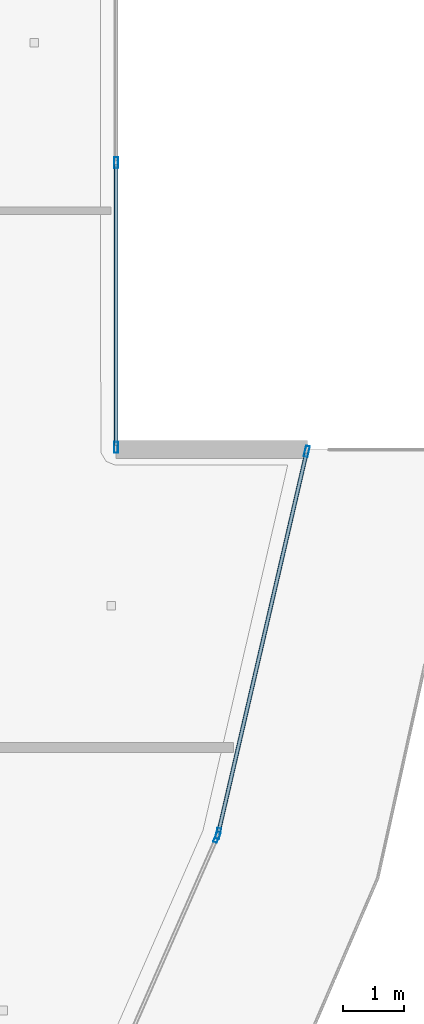
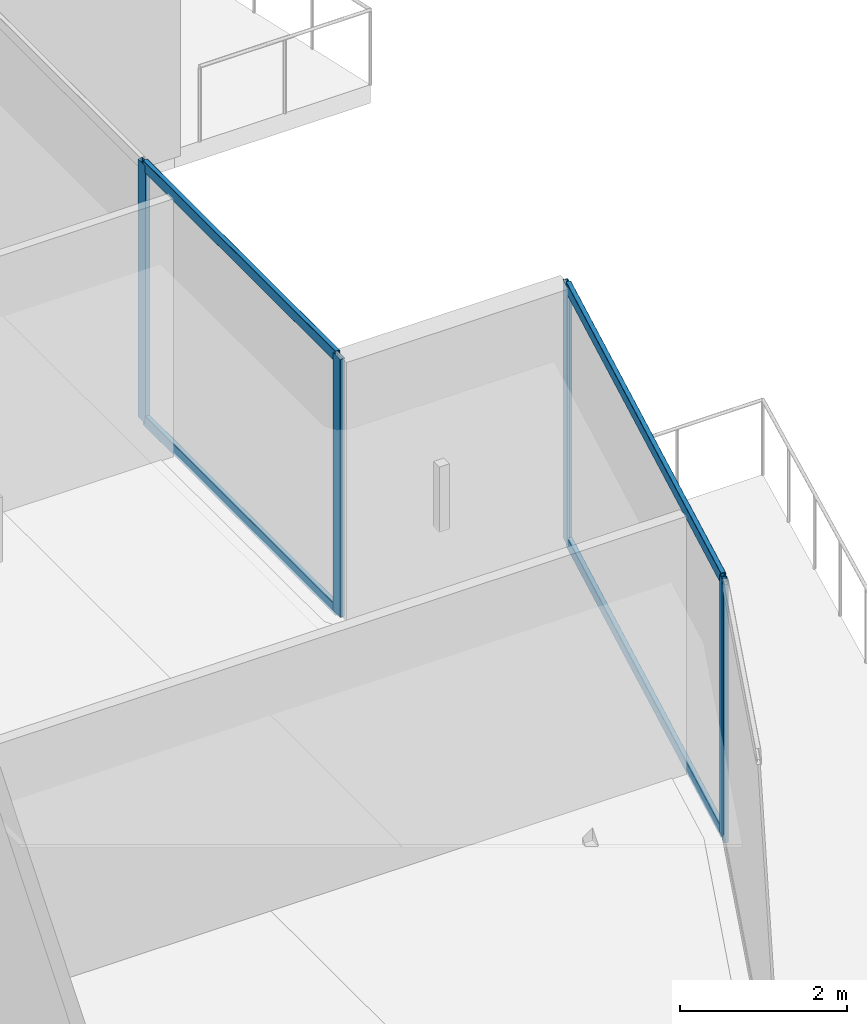
# One storey, part 11 of 35: 9 members, 3 elements without a shape of their own.
"""IFC4 building model written with IfcOpenShell, lengths in metres."""

from ifc_helpers import new_model, si_unit, direction, frame, origin, origin_2d, place, context, subcontext, project, spatial, hollow_rectangle, extrude, material, layer, layer_set, material_profile, profile_set, type_object, element, aggregate, save


model = new_model("IFC4")

# Units and contexts
model_context = context("Model", 3, precision=1e-05, world=origin(), true_north=direction((0.0, 1.0)))
body_context = subcontext(model_context, "Body", "Model", "MODEL_VIEW")
ifc_project = project(units=[si_unit("LENGTHUNIT", "METRE"), si_unit("AREAUNIT", "SQUARE_METRE"), si_unit("VOLUMEUNIT", "CUBIC_METRE"), si_unit("PLANEANGLEUNIT", "RADIAN"), si_unit("MASSUNIT", "GRAM", prefix="KILO")], contexts=[model_context])

# Site, building, storey
site_placement = place(None, origin())
site = spatial("IfcSite", under=ifc_project, at=site_placement, CompositionType="ELEMENT")
building_placement = place(site_placement, origin())
building = spatial("IfcBuilding", under=site, at=building_placement, Name="Qorvath Tower", CompositionType="ELEMENT")
storey_placement = place(building_placement, frame((0.0, 0.0, 166.5)))
storey = spatial("IfcBuildingStorey", under=building, at=storey_placement, Name="L38", CompositionType="ELEMENT", Elevation=166.5)

# Curtain wall, member
ifc_material_1 = material(Name="Anodised aluminium and triple low-E glass", Category="aluminium")
ifc_layer = layer(ifc_material_1, 0.179931640625)
ifc_layer_set = layer_set([ifc_layer], Name="CW-SYS-3")
curtain_wall_type = type_object("IfcCurtainWallType", Name="CW-SYS-3", PredefinedType="NOTDEFINED", material=ifc_layer_set)
curtain_wall_1_placement = place(storey_placement, origin())
curtain_wall_1 = element("IfcCurtainWall", 1, at=curtain_wall_1_placement, inside=storey, type_object=curtain_wall_type, Name="Curtain Wall CW-3 CW-T-L38-6.1", PredefinedType="NOTDEFINED")
ifc_material_2 = material(Name="Anodised aluminium 6063-T6", Category="aluminium")
ifc_material_profile_1 = material_profile(ifc_material_2, hollow_rectangle(XDim=0.06494140625, YDim=0.179931640625, WallThickness=0.00341796875, InnerFilletRadius=0.00341796875, OuterFilletRadius=0.007080078125, at=origin_2d()), Name="CWM 180x65")
ifc_profile_set_1 = profile_set([ifc_material_profile_1], Name="Anodised aluminium 6063-T6")
member_type_1 = type_object("IfcMemberType", Name="CWM-180", PredefinedType="MULLION", material=ifc_profile_set_1)
member_1_placement = place(storey_placement, frame((1.4736328125, -11.0751953125, 0.0), z_axis=(0.0, 0.0, 1.0), x_axis=(-0.915629399612, 0.402023385597, 0.0)))
member_1 = element("IfcMember", 2, at=member_1_placement, type_object=member_type_1, Name="CW-3 mullion 2", PredefinedType="MULLION", context=body_context, shape_type="SweptSolid", body=[
    extrude(hollow_rectangle(XDim=0.06494140625, YDim=0.179931640625, WallThickness=0.00341796875, InnerFilletRadius=0.00341796875, OuterFilletRadius=0.007080078125, at=origin_2d()), origin(), (0.0, 0.0, 1.0), 3.780029296875),
])
aggregate(curtain_wall_1, [member_1])

# Curtain wall, members
curtain_wall_2_placement = place(storey_placement, origin())
curtain_wall_2 = element("IfcCurtainWall", 3, at=curtain_wall_2_placement, inside=storey, type_object=curtain_wall_type, Name="Curtain Wall CW-3 CW-T-L38-7.1", PredefinedType="NOTDEFINED")
member_2_placement = place(storey_placement, frame((1.493896484375, -11.013671875, 0.0), z_axis=(0.0, 0.0, 1.0), x_axis=(-0.974175693099, 0.225791317315, 0.0)))
member_2 = element("IfcMember", 4, at=member_2_placement, type_object=member_type_1, Name="CW-3 mullion 1", PredefinedType="MULLION", context=body_context, shape_type="SweptSolid", body=[
    extrude(hollow_rectangle(XDim=0.06494140625, YDim=0.179931640625, WallThickness=0.00341796875, InnerFilletRadius=0.00341796875, OuterFilletRadius=0.007080078125, at=origin_2d()), origin(), (0.0, 0.0, 1.0), 3.780029296875),
])
member_3_placement = place(storey_placement, frame((2.947998046875, -4.740478515625, 0.0), z_axis=(0.0, 0.0, 1.0), x_axis=(-0.974175693099, 0.225791317315, 0.0)))
member_3 = element("IfcMember", 5, at=member_3_placement, type_object=member_type_1, Name="CW-3 mullion 2", PredefinedType="MULLION", context=body_context, shape_type="SweptSolid", body=[
    extrude(hollow_rectangle(XDim=0.06494140625, YDim=0.179931640625, WallThickness=0.00341796875, InnerFilletRadius=0.00341796875, OuterFilletRadius=0.007080078125, at=origin_2d()), origin(), (0.0, 0.0, 1.0), 3.780029296875),
])

curtain_wall_3_placement = place(storey_placement, origin())
curtain_wall_3 = element("IfcCurtainWall", 6, at=curtain_wall_3_placement, inside=storey, type_object=curtain_wall_type, Name="Curtain Wall CW-3 CW-T-L38-9.1", PredefinedType="NOTDEFINED")
member_4_placement = place(storey_placement, frame((-0.183837890625, -4.67626953125, 0.0), z_axis=(0.0, 0.0, 1.0), x_axis=(-1.0, 0.0, 0.0)))
member_4 = element("IfcMember", 7, at=member_4_placement, type_object=member_type_1, Name="CW-3 mullion 1", PredefinedType="MULLION", context=body_context, shape_type="SweptSolid", body=[
    extrude(hollow_rectangle(XDim=0.06494140625, YDim=0.179931640625, WallThickness=0.00341796875, InnerFilletRadius=0.00341796875, OuterFilletRadius=0.007080078125, at=origin_2d()), origin(), (0.0, 0.0, 1.0), 3.780029296875),
])
member_5_placement = place(storey_placement, frame((-0.183837890625, 0.0, 0.0), z_axis=(0.0, 0.0, 1.0), x_axis=(-1.0, 0.0, 0.0)))
member_5 = element("IfcMember", 8, at=member_5_placement, type_object=member_type_1, Name="CW-3 mullion 2", PredefinedType="MULLION", context=body_context, shape_type="SweptSolid", body=[
    extrude(hollow_rectangle(XDim=0.06494140625, YDim=0.179931640625, WallThickness=0.00341796875, InnerFilletRadius=0.00341796875, OuterFilletRadius=0.007080078125, at=origin_2d()), origin(), (0.0, 0.0, 1.0), 3.780029296875),
])

# Member
ifc_material_3 = material(Name="Anodised aluminium 6063-T6", Category="aluminium")
ifc_material_profile_2 = material_profile(ifc_material_3, hollow_rectangle(XDim=0.06494140625, YDim=0.159912109375, WallThickness=0.00341796875, InnerFilletRadius=0.00341796875, OuterFilletRadius=0.007080078125, at=origin_2d()), Name="CWT 160x65")
ifc_profile_set_2 = profile_set([ifc_material_profile_2], Name="Anodised aluminium 6063-T6")
member_type_2 = type_object("IfcMemberType", Name="CWT-160", PredefinedType="USERDEFINED", material=ifc_profile_set_2)
member_6_placement = place(storey_placement, frame((1.501220703125, -10.982177734375, 0.032470703125), z_axis=(0.225801993048, 0.97417321865, 0.0), x_axis=(-0.97417321865, 0.225801993048, 0.0)))
member_6 = element("IfcMember", 9, at=member_6_placement, type_object=member_type_2, Name="CW-3 transom 1.1", ObjectType="TRANSOM", PredefinedType="USERDEFINED", context=body_context, shape_type="SweptSolid", body=[
    extrude(hollow_rectangle(XDim=0.06494140625, YDim=0.159912109375, WallThickness=0.00341796875, InnerFilletRadius=0.00341796875, OuterFilletRadius=0.007080078125, at=origin_2d()), origin(), (0.0, 0.0, 1.0), 6.374755859375),
])

member_7_placement = place(storey_placement, frame((1.501220703125, -10.982177734375, 3.74755859375), z_axis=(0.225801993048, 0.97417321865, 0.0), x_axis=(-0.97417321865, 0.225801993048, 0.0)))
member_7 = element("IfcMember", 10, at=member_7_placement, type_object=member_type_2, Name="CW-3 transom 1.2", ObjectType="TRANSOM", PredefinedType="USERDEFINED", context=body_context, shape_type="SweptSolid", body=[
    extrude(hollow_rectangle(XDim=0.06494140625, YDim=0.159912109375, WallThickness=0.00341796875, InnerFilletRadius=0.00341796875, OuterFilletRadius=0.007080078125, at=origin_2d()), origin(), (0.0, 0.0, 1.0), 6.374755859375),
])

aggregate(curtain_wall_2, [member_2, member_3, member_6, member_7])

member_8_placement = place(storey_placement, frame((-0.183837890625, -4.643798828125, 0.032470703125), z_axis=(0.0, 1.0, 0.0), x_axis=(-1.0, 0.0, 0.0)))
member_8 = element("IfcMember", 11, at=member_8_placement, type_object=member_type_2, Name="CW-3 transom 1.1", ObjectType="TRANSOM", PredefinedType="USERDEFINED", context=body_context, shape_type="SweptSolid", body=[
    extrude(hollow_rectangle(XDim=0.06494140625, YDim=0.159912109375, WallThickness=0.00341796875, InnerFilletRadius=0.00341796875, OuterFilletRadius=0.007080078125, at=origin_2d()), origin(), (0.0, 0.0, 1.0), 4.611328125),
])

member_9_placement = place(storey_placement, frame((-0.183837890625, -4.643798828125, 3.74755859375), z_axis=(0.0, 1.0, 0.0), x_axis=(-1.0, 0.0, 0.0)))
member_9 = element("IfcMember", 12, at=member_9_placement, type_object=member_type_2, Name="CW-3 transom 1.2", ObjectType="TRANSOM", PredefinedType="USERDEFINED", context=body_context, shape_type="SweptSolid", body=[
    extrude(hollow_rectangle(XDim=0.06494140625, YDim=0.159912109375, WallThickness=0.00341796875, InnerFilletRadius=0.00341796875, OuterFilletRadius=0.007080078125, at=origin_2d()), origin(), (0.0, 0.0, 1.0), 4.611328125),
])

aggregate(curtain_wall_3, [member_4, member_5, member_8, member_9])

save(model, "model.ifc")
